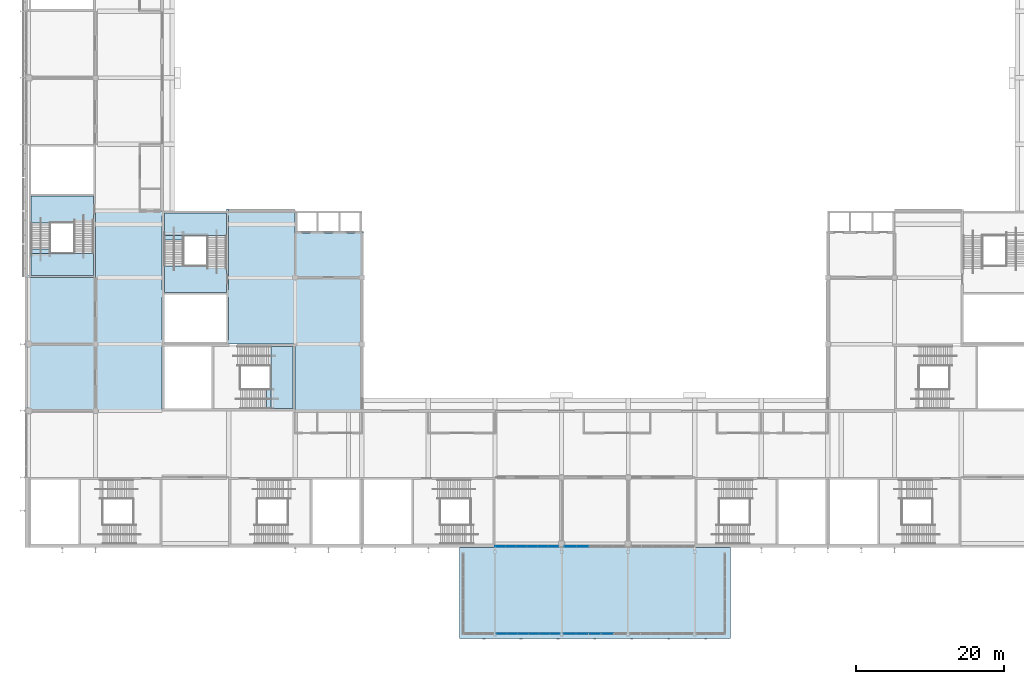
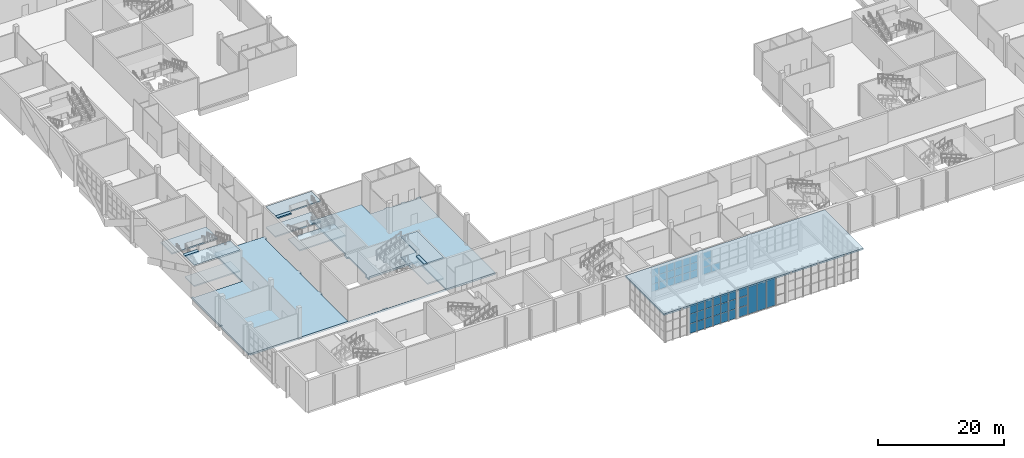
# One storey, part 29 of 89: 46 plates, 13 slabs, 8 elements without a shape of their own.
"""IFC4 building model written with IfcOpenShell, lengths in metres."""

from ifc_helpers import new_model, si_unit, direction, frame, origin, origin_2d, place, context, subcontext, project, spatial, polyline, rectangle, outline, extrude, material, layer, layer_set, type_object, element, aggregate, save


model = new_model("IFC4")

# Units and contexts
model_context = context("Model", 3, precision=1e-05, world=origin(), true_north=direction((0.0, 1.0)))
body_context = subcontext(model_context, "Body", "Model", "MODEL_VIEW")
ifc_project = project(units=[si_unit("LENGTHUNIT", "METRE"), si_unit("AREAUNIT", "SQUARE_METRE"), si_unit("VOLUMEUNIT", "CUBIC_METRE"), si_unit("PLANEANGLEUNIT", "RADIAN"), si_unit("MASSUNIT", "GRAM", prefix="KILO")], contexts=[model_context])

# Site, building, storey
site_placement = place(None, origin())
site = spatial("IfcSite", under=ifc_project, at=site_placement, CompositionType="ELEMENT")
building_placement = place(site_placement, origin())
building = spatial("IfcBuilding", under=site, at=building_placement, Name="Silverbay Arena", CompositionType="ELEMENT")
storey_placement = place(building_placement, frame((0.0, 0.0, 22.0)))
storey = spatial("IfcBuildingStorey", under=building, at=storey_placement, Name="L03", CompositionType="ELEMENT", Elevation=22.0)

# Curtain wall, plates
ifc_material_1 = material(Name="Aluminium framed curtain wall", Category="aluminium")
curtain_wall_type_1 = type_object("IfcCurtainWallType", Name="Curtain wall 8600 x 4400", PredefinedType="NOTDEFINED", material=ifc_material_1)
curtain_wall_1_placement = place(storey_placement, origin())
curtain_wall_1 = element("IfcCurtainWall", 1, at=curtain_wall_1_placement, inside=storey, type_object=curtain_wall_type_1, Name="South curtain wall L03 bay 8", PredefinedType="NOTDEFINED")
ifc_material_2 = material(Name="Laminated glass", Category="glass")
ifc_layer_1 = layer(ifc_material_2, 0.028076171875)
ifc_layer_set_1 = layer_set([ifc_layer_1], Name="Laminated glass")
plate_type = type_object("IfcPlateType", Name="Glass panel 28", PredefinedType="CURTAIN_PANEL", material=ifc_layer_set_1)
plate_1_placement = place(storey_placement, frame((117.731689453125, 17.669921875, 1.050048828125), z_axis=(0.0, 0.0, 1.0), x_axis=(1.0, 0.0, 0.0)))
plate_1 = element("IfcPlate", 2, at=plate_1_placement, type_object=plate_type, Name="CW12 panel 1.1", PredefinedType="CURTAIN_PANEL", context=body_context, shape_type="SweptSolid", body=[
    extrude(rectangle(XDim=1.34326171875, YDim=0.028076171875, at=origin_2d()), origin(), (0.0, 0.0, 1.0), 1.3916015625),
])
plate_2_placement = place(storey_placement, frame((117.731689453125, 17.669921875, 2.49169921875), z_axis=(0.0, 0.0, 1.0), x_axis=(1.0, 0.0, 0.0)))
plate_2 = element("IfcPlate", 3, at=plate_2_placement, type_object=plate_type, Name="CW12 panel 1.2", PredefinedType="CURTAIN_PANEL", context=body_context, shape_type="SweptSolid", body=[
    extrude(rectangle(XDim=1.34326171875, YDim=0.028076171875, at=origin_2d()), origin(), (0.0, 0.0, 1.0), 1.416748046875),
])
plate_3_placement = place(storey_placement, frame((117.731689453125, 17.669921875, 3.958251953125), z_axis=(0.0, 0.0, 1.0), x_axis=(1.0, 0.0, 0.0)))
plate_3 = element("IfcPlate", 4, at=plate_3_placement, type_object=plate_type, Name="CW12 panel 1.3", PredefinedType="CURTAIN_PANEL", context=body_context, shape_type="SweptSolid", body=[
    extrude(rectangle(XDim=1.34326171875, YDim=0.028076171875, at=origin_2d()), origin(), (0.0, 0.0, 1.0), 1.3916015625),
])
plate_4_placement = place(storey_placement, frame((119.14990234375, 17.669921875, 1.050048828125), z_axis=(0.0, 0.0, 1.0), x_axis=(1.0, 0.0, 0.0)))
plate_4 = element("IfcPlate", 5, at=plate_4_placement, type_object=plate_type, Name="CW12 panel 2.1", PredefinedType="CURTAIN_PANEL", context=body_context, shape_type="SweptSolid", body=[
    extrude(rectangle(XDim=1.373291015625, YDim=0.028076171875, at=origin_2d()), origin(), (0.0, 0.0, 1.0), 1.3916015625),
])
plate_5_placement = place(storey_placement, frame((119.14990234375, 17.669921875, 2.49169921875), z_axis=(0.0, 0.0, 1.0), x_axis=(1.0, 0.0, 0.0)))
plate_5 = element("IfcPlate", 6, at=plate_5_placement, type_object=plate_type, Name="CW12 panel 2.2", PredefinedType="CURTAIN_PANEL", context=body_context, shape_type="SweptSolid", body=[
    extrude(rectangle(XDim=1.373291015625, YDim=0.028076171875, at=origin_2d()), origin(), (0.0, 0.0, 1.0), 1.416748046875),
])
plate_6_placement = place(storey_placement, frame((119.14990234375, 17.669921875, 3.958251953125), z_axis=(0.0, 0.0, 1.0), x_axis=(1.0, 0.0, 0.0)))
plate_6 = element("IfcPlate", 7, at=plate_6_placement, type_object=plate_type, Name="CW12 panel 2.3", PredefinedType="CURTAIN_PANEL", context=body_context, shape_type="SweptSolid", body=[
    extrude(rectangle(XDim=1.373291015625, YDim=0.028076171875, at=origin_2d()), origin(), (0.0, 0.0, 1.0), 1.3916015625),
])
plate_7_placement = place(storey_placement, frame((120.583251953125, 17.669921875, 1.050048828125), z_axis=(0.0, 0.0, 1.0), x_axis=(1.0, 0.0, 0.0)))
plate_7 = element("IfcPlate", 8, at=plate_7_placement, type_object=plate_type, Name="CW12 panel 3.1", PredefinedType="CURTAIN_PANEL", context=body_context, shape_type="SweptSolid", body=[
    extrude(rectangle(XDim=1.373291015625, YDim=0.028076171875, at=origin_2d()), origin(), (0.0, 0.0, 1.0), 1.3916015625),
])
plate_8_placement = place(storey_placement, frame((120.583251953125, 17.669921875, 2.49169921875), z_axis=(0.0, 0.0, 1.0), x_axis=(1.0, 0.0, 0.0)))
plate_8 = element("IfcPlate", 9, at=plate_8_placement, type_object=plate_type, Name="CW12 panel 3.2", PredefinedType="CURTAIN_PANEL", context=body_context, shape_type="SweptSolid", body=[
    extrude(rectangle(XDim=1.373291015625, YDim=0.028076171875, at=origin_2d()), origin(), (0.0, 0.0, 1.0), 1.416748046875),
])
plate_9_placement = place(storey_placement, frame((120.583251953125, 17.669921875, 3.958251953125), z_axis=(0.0, 0.0, 1.0), x_axis=(1.0, 0.0, 0.0)))
plate_9 = element("IfcPlate", 10, at=plate_9_placement, type_object=plate_type, Name="CW12 panel 3.3", PredefinedType="CURTAIN_PANEL", context=body_context, shape_type="SweptSolid", body=[
    extrude(rectangle(XDim=1.373291015625, YDim=0.028076171875, at=origin_2d()), origin(), (0.0, 0.0, 1.0), 1.3916015625),
])
plate_10_placement = place(storey_placement, frame((122.0166015625, 17.669921875, 1.050048828125), z_axis=(0.0, 0.0, 1.0), x_axis=(1.0, 0.0, 0.0)))
plate_10 = element("IfcPlate", 11, at=plate_10_placement, type_object=plate_type, Name="CW12 panel 4.1", PredefinedType="CURTAIN_PANEL", context=body_context, shape_type="SweptSolid", body=[
    extrude(rectangle(XDim=1.373291015625, YDim=0.028076171875, at=origin_2d()), origin(), (0.0, 0.0, 1.0), 1.3916015625),
])
plate_11_placement = place(storey_placement, frame((122.0166015625, 17.669921875, 2.49169921875), z_axis=(0.0, 0.0, 1.0), x_axis=(1.0, 0.0, 0.0)))
plate_11 = element("IfcPlate", 12, at=plate_11_placement, type_object=plate_type, Name="CW12 panel 4.2", PredefinedType="CURTAIN_PANEL", context=body_context, shape_type="SweptSolid", body=[
    extrude(rectangle(XDim=1.373291015625, YDim=0.028076171875, at=origin_2d()), origin(), (0.0, 0.0, 1.0), 1.416748046875),
])
plate_12_placement = place(storey_placement, frame((122.0166015625, 17.669921875, 3.958251953125), z_axis=(0.0, 0.0, 1.0), x_axis=(1.0, 0.0, 0.0)))
plate_12 = element("IfcPlate", 13, at=plate_12_placement, type_object=plate_type, Name="CW12 panel 4.3", PredefinedType="CURTAIN_PANEL", context=body_context, shape_type="SweptSolid", body=[
    extrude(rectangle(XDim=1.373291015625, YDim=0.028076171875, at=origin_2d()), origin(), (0.0, 0.0, 1.0), 1.3916015625),
])
plate_13_placement = place(storey_placement, frame((123.449951171875, 17.669921875, 1.050048828125), z_axis=(0.0, 0.0, 1.0), x_axis=(1.0, 0.0, 0.0)))
plate_13 = element("IfcPlate", 14, at=plate_13_placement, type_object=plate_type, Name="CW12 panel 5.1", PredefinedType="CURTAIN_PANEL", context=body_context, shape_type="SweptSolid", body=[
    extrude(rectangle(XDim=1.373291015625, YDim=0.028076171875, at=origin_2d()), origin(), (0.0, 0.0, 1.0), 1.3916015625),
])
plate_14_placement = place(storey_placement, frame((123.449951171875, 17.669921875, 2.49169921875), z_axis=(0.0, 0.0, 1.0), x_axis=(1.0, 0.0, 0.0)))
plate_14 = element("IfcPlate", 15, at=plate_14_placement, type_object=plate_type, Name="CW12 panel 5.2", PredefinedType="CURTAIN_PANEL", context=body_context, shape_type="SweptSolid", body=[
    extrude(rectangle(XDim=1.373291015625, YDim=0.028076171875, at=origin_2d()), origin(), (0.0, 0.0, 1.0), 1.416748046875),
])
plate_15_placement = place(storey_placement, frame((123.449951171875, 17.669921875, 3.958251953125), z_axis=(0.0, 0.0, 1.0), x_axis=(1.0, 0.0, 0.0)))
plate_15 = element("IfcPlate", 16, at=plate_15_placement, type_object=plate_type, Name="CW12 panel 5.3", PredefinedType="CURTAIN_PANEL", context=body_context, shape_type="SweptSolid", body=[
    extrude(rectangle(XDim=1.373291015625, YDim=0.028076171875, at=origin_2d()), origin(), (0.0, 0.0, 1.0), 1.3916015625),
])
plate_16_placement = place(storey_placement, frame((124.868408203125, 17.669921875, 1.050048828125), z_axis=(0.0, 0.0, 1.0), x_axis=(1.0, 0.0, 0.0)))
plate_16 = element("IfcPlate", 17, at=plate_16_placement, type_object=plate_type, Name="CW12 panel 6.1", PredefinedType="CURTAIN_PANEL", context=body_context, shape_type="SweptSolid", body=[
    extrude(rectangle(XDim=1.34326171875, YDim=0.028076171875, at=origin_2d()), origin(), (0.0, 0.0, 1.0), 1.3916015625),
])
plate_17_placement = place(storey_placement, frame((124.868408203125, 17.669921875, 2.49169921875), z_axis=(0.0, 0.0, 1.0), x_axis=(1.0, 0.0, 0.0)))
plate_17 = element("IfcPlate", 18, at=plate_17_placement, type_object=plate_type, Name="CW12 panel 6.2", PredefinedType="CURTAIN_PANEL", context=body_context, shape_type="SweptSolid", body=[
    extrude(rectangle(XDim=1.34326171875, YDim=0.028076171875, at=origin_2d()), origin(), (0.0, 0.0, 1.0), 1.416748046875),
])
plate_18_placement = place(storey_placement, frame((124.868408203125, 17.669921875, 3.958251953125), z_axis=(0.0, 0.0, 1.0), x_axis=(1.0, 0.0, 0.0)))
plate_18 = element("IfcPlate", 19, at=plate_18_placement, type_object=plate_type, Name="CW12 panel 6.3", PredefinedType="CURTAIN_PANEL", context=body_context, shape_type="SweptSolid", body=[
    extrude(rectangle(XDim=1.34326171875, YDim=0.028076171875, at=origin_2d()), origin(), (0.0, 0.0, 1.0), 1.3916015625),
])
aggregate(curtain_wall_1, [plate_1, plate_2, plate_3, plate_4, plate_5, plate_6, plate_7, plate_8, plate_9, plate_10, plate_11, plate_12, plate_13, plate_14, plate_15, plate_16, plate_17, plate_18])

ifc_material_3 = material(Name="Aluminium framed curtain wall", Category="aluminium")
curtain_wall_type_2 = type_object("IfcCurtainWallType", Name="Curtain wall 8200 x 4400", PredefinedType="NOTDEFINED", material=ifc_material_3)
curtain_wall_2_placement = place(storey_placement, origin())
curtain_wall_2 = element("IfcCurtainWall", 20, at=curtain_wall_2_placement, inside=storey, type_object=curtain_wall_type_2, Name="South curtain wall L03 bay 9", PredefinedType="NOTDEFINED")
plate_19_placement = place(storey_placement, frame((127.235107421875, 17.669921875, 1.050048828125), z_axis=(0.0, 0.0, 1.0), x_axis=(1.0, 0.0, 0.0)))
plate_19 = element("IfcPlate", 21, at=plate_19_placement, type_object=plate_type, Name="CW13 panel 1.1", PredefinedType="CURTAIN_PANEL", context=body_context, shape_type="SweptSolid", body=[
    extrude(rectangle(XDim=1.550048828125, YDim=0.028076171875, at=origin_2d()), origin(), (0.0, 0.0, 1.0), 1.3916015625),
])
plate_20_placement = place(storey_placement, frame((127.235107421875, 17.669921875, 2.49169921875), z_axis=(0.0, 0.0, 1.0), x_axis=(1.0, 0.0, 0.0)))
plate_20 = element("IfcPlate", 22, at=plate_20_placement, type_object=plate_type, Name="CW13 panel 1.2", PredefinedType="CURTAIN_PANEL", context=body_context, shape_type="SweptSolid", body=[
    extrude(rectangle(XDim=1.550048828125, YDim=0.028076171875, at=origin_2d()), origin(), (0.0, 0.0, 1.0), 1.416748046875),
])
plate_21_placement = place(storey_placement, frame((127.235107421875, 17.669921875, 3.958251953125), z_axis=(0.0, 0.0, 1.0), x_axis=(1.0, 0.0, 0.0)))
plate_21 = element("IfcPlate", 23, at=plate_21_placement, type_object=plate_type, Name="CW13 panel 1.3", PredefinedType="CURTAIN_PANEL", context=body_context, shape_type="SweptSolid", body=[
    extrude(rectangle(XDim=1.550048828125, YDim=0.028076171875, at=origin_2d()), origin(), (0.0, 0.0, 1.0), 1.3916015625),
])
plate_22_placement = place(storey_placement, frame((128.860107421875, 17.669921875, 1.050048828125), z_axis=(0.0, 0.0, 1.0), x_axis=(1.0, 0.0, 0.0)))
plate_22 = element("IfcPlate", 24, at=plate_22_placement, type_object=plate_type, Name="CW13 panel 2.1", PredefinedType="CURTAIN_PANEL", context=body_context, shape_type="SweptSolid", body=[
    extrude(rectangle(XDim=1.580078125, YDim=0.028076171875, at=origin_2d()), origin(), (0.0, 0.0, 1.0), 1.3916015625),
])
aggregate(curtain_wall_2, [plate_19, plate_20, plate_21, plate_22])

ifc_material_4 = material(Name="Aluminium framed curtain wall", Category="aluminium")
curtain_wall_type_3 = type_object("IfcCurtainWallType", Name="Curtain wall 8600 x 5700", PredefinedType="NOTDEFINED", material=ifc_material_4)
curtain_wall_3_placement = place(storey_placement, origin())
curtain_wall_3 = element("IfcCurtainWall", 25, at=curtain_wall_3_placement, inside=storey, type_object=curtain_wall_type_3, Name="South entrance hall S1 glazing F0", PredefinedType="NOTDEFINED")
plate_23_placement = place(storey_placement, frame((117.931640625, 5.860107421875, 0.0498046875), z_axis=(0.0, 0.0, 1.0), x_axis=(1.0, 0.0, 0.0)))
plate_23 = element("IfcPlate", 26, at=plate_23_placement, type_object=plate_type, Name="CW27 panel 1.1", PredefinedType="CURTAIN_PANEL", context=body_context, shape_type="SweptSolid", body=[
    extrude(rectangle(XDim=1.34326171875, YDim=0.028076171875, at=origin_2d()), origin(), (0.0, 0.0, 1.0), 1.824951171875),
])
plate_24_placement = place(storey_placement, frame((117.931640625, 5.860107421875, 1.925048828125), z_axis=(0.0, 0.0, 1.0), x_axis=(1.0, 0.0, 0.0)))
plate_24 = element("IfcPlate", 27, at=plate_24_placement, type_object=plate_type, Name="CW27 panel 1.2", PredefinedType="CURTAIN_PANEL", context=body_context, shape_type="SweptSolid", body=[
    extrude(rectangle(XDim=1.34326171875, YDim=0.028076171875, at=origin_2d()), origin(), (0.0, 0.0, 1.0), 1.85009765625),
])
plate_25_placement = place(storey_placement, frame((117.931640625, 5.860107421875, 3.8251953125), z_axis=(0.0, 0.0, 1.0), x_axis=(1.0, 0.0, 0.0)))
plate_25 = element("IfcPlate", 28, at=plate_25_placement, type_object=plate_type, Name="CW27 panel 1.3", PredefinedType="CURTAIN_PANEL", context=body_context, shape_type="SweptSolid", body=[
    extrude(rectangle(XDim=1.34326171875, YDim=0.028076171875, at=origin_2d()), origin(), (0.0, 0.0, 1.0), 1.824951171875),
])
plate_26_placement = place(storey_placement, frame((119.35009765625, 5.860107421875, 0.0498046875), z_axis=(0.0, 0.0, 1.0), x_axis=(1.0, 0.0, 0.0)))
plate_26 = element("IfcPlate", 29, at=plate_26_placement, type_object=plate_type, Name="CW27 panel 2.1", PredefinedType="CURTAIN_PANEL", context=body_context, shape_type="SweptSolid", body=[
    extrude(rectangle(XDim=1.373291015625, YDim=0.028076171875, at=origin_2d()), origin(), (0.0, 0.0, 1.0), 1.824951171875),
])
plate_27_placement = place(storey_placement, frame((119.35009765625, 5.860107421875, 1.925048828125), z_axis=(0.0, 0.0, 1.0), x_axis=(1.0, 0.0, 0.0)))
plate_27 = element("IfcPlate", 30, at=plate_27_placement, type_object=plate_type, Name="CW27 panel 2.2", PredefinedType="CURTAIN_PANEL", context=body_context, shape_type="SweptSolid", body=[
    extrude(rectangle(XDim=1.373291015625, YDim=0.028076171875, at=origin_2d()), origin(), (0.0, 0.0, 1.0), 1.85009765625),
])
plate_28_placement = place(storey_placement, frame((119.35009765625, 5.860107421875, 3.8251953125), z_axis=(0.0, 0.0, 1.0), x_axis=(1.0, 0.0, 0.0)))
plate_28 = element("IfcPlate", 31, at=plate_28_placement, type_object=plate_type, Name="CW27 panel 2.3", PredefinedType="CURTAIN_PANEL", context=body_context, shape_type="SweptSolid", body=[
    extrude(rectangle(XDim=1.373291015625, YDim=0.028076171875, at=origin_2d()), origin(), (0.0, 0.0, 1.0), 1.824951171875),
])
plate_29_placement = place(storey_placement, frame((120.783447265625, 5.860107421875, 0.0498046875), z_axis=(0.0, 0.0, 1.0), x_axis=(1.0, 0.0, 0.0)))
plate_29 = element("IfcPlate", 32, at=plate_29_placement, type_object=plate_type, Name="CW27 panel 3.1", PredefinedType="CURTAIN_PANEL", context=body_context, shape_type="SweptSolid", body=[
    extrude(rectangle(XDim=1.373291015625, YDim=0.028076171875, at=origin_2d()), origin(), (0.0, 0.0, 1.0), 1.824951171875),
])
plate_30_placement = place(storey_placement, frame((120.783447265625, 5.860107421875, 1.925048828125), z_axis=(0.0, 0.0, 1.0), x_axis=(1.0, 0.0, 0.0)))
plate_30 = element("IfcPlate", 33, at=plate_30_placement, type_object=plate_type, Name="CW27 panel 3.2", PredefinedType="CURTAIN_PANEL", context=body_context, shape_type="SweptSolid", body=[
    extrude(rectangle(XDim=1.373291015625, YDim=0.028076171875, at=origin_2d()), origin(), (0.0, 0.0, 1.0), 1.85009765625),
])
plate_31_placement = place(storey_placement, frame((120.783447265625, 5.860107421875, 3.8251953125), z_axis=(0.0, 0.0, 1.0), x_axis=(1.0, 0.0, 0.0)))
plate_31 = element("IfcPlate", 34, at=plate_31_placement, type_object=plate_type, Name="CW27 panel 3.3", PredefinedType="CURTAIN_PANEL", context=body_context, shape_type="SweptSolid", body=[
    extrude(rectangle(XDim=1.373291015625, YDim=0.028076171875, at=origin_2d()), origin(), (0.0, 0.0, 1.0), 1.824951171875),
])
plate_32_placement = place(storey_placement, frame((122.216552734375, 5.860107421875, 0.0498046875), z_axis=(0.0, 0.0, 1.0), x_axis=(1.0, 0.0, 0.0)))
plate_32 = element("IfcPlate", 35, at=plate_32_placement, type_object=plate_type, Name="CW27 panel 4.1", PredefinedType="CURTAIN_PANEL", context=body_context, shape_type="SweptSolid", body=[
    extrude(rectangle(XDim=1.373291015625, YDim=0.028076171875, at=origin_2d()), origin(), (0.0, 0.0, 1.0), 1.824951171875),
])
plate_33_placement = place(storey_placement, frame((122.216552734375, 5.860107421875, 1.925048828125), z_axis=(0.0, 0.0, 1.0), x_axis=(1.0, 0.0, 0.0)))
plate_33 = element("IfcPlate", 36, at=plate_33_placement, type_object=plate_type, Name="CW27 panel 4.2", PredefinedType="CURTAIN_PANEL", context=body_context, shape_type="SweptSolid", body=[
    extrude(rectangle(XDim=1.373291015625, YDim=0.028076171875, at=origin_2d()), origin(), (0.0, 0.0, 1.0), 1.85009765625),
])
plate_34_placement = place(storey_placement, frame((122.216552734375, 5.860107421875, 3.8251953125), z_axis=(0.0, 0.0, 1.0), x_axis=(1.0, 0.0, 0.0)))
plate_34 = element("IfcPlate", 37, at=plate_34_placement, type_object=plate_type, Name="CW27 panel 4.3", PredefinedType="CURTAIN_PANEL", context=body_context, shape_type="SweptSolid", body=[
    extrude(rectangle(XDim=1.373291015625, YDim=0.028076171875, at=origin_2d()), origin(), (0.0, 0.0, 1.0), 1.824951171875),
])
plate_35_placement = place(storey_placement, frame((123.64990234375, 5.860107421875, 0.0498046875), z_axis=(0.0, 0.0, 1.0), x_axis=(1.0, 0.0, 0.0)))
plate_35 = element("IfcPlate", 38, at=plate_35_placement, type_object=plate_type, Name="CW27 panel 5.1", PredefinedType="CURTAIN_PANEL", context=body_context, shape_type="SweptSolid", body=[
    extrude(rectangle(XDim=1.373291015625, YDim=0.028076171875, at=origin_2d()), origin(), (0.0, 0.0, 1.0), 1.824951171875),
])
plate_36_placement = place(storey_placement, frame((123.64990234375, 5.860107421875, 1.925048828125), z_axis=(0.0, 0.0, 1.0), x_axis=(1.0, 0.0, 0.0)))
plate_36 = element("IfcPlate", 39, at=plate_36_placement, type_object=plate_type, Name="CW27 panel 5.2", PredefinedType="CURTAIN_PANEL", context=body_context, shape_type="SweptSolid", body=[
    extrude(rectangle(XDim=1.373291015625, YDim=0.028076171875, at=origin_2d()), origin(), (0.0, 0.0, 1.0), 1.85009765625),
])
plate_37_placement = place(storey_placement, frame((123.64990234375, 5.860107421875, 3.8251953125), z_axis=(0.0, 0.0, 1.0), x_axis=(1.0, 0.0, 0.0)))
plate_37 = element("IfcPlate", 40, at=plate_37_placement, type_object=plate_type, Name="CW27 panel 5.3", PredefinedType="CURTAIN_PANEL", context=body_context, shape_type="SweptSolid", body=[
    extrude(rectangle(XDim=1.373291015625, YDim=0.028076171875, at=origin_2d()), origin(), (0.0, 0.0, 1.0), 1.824951171875),
])
plate_38_placement = place(storey_placement, frame((125.068359375, 5.860107421875, 0.0498046875), z_axis=(0.0, 0.0, 1.0), x_axis=(1.0, 0.0, 0.0)))
plate_38 = element("IfcPlate", 41, at=plate_38_placement, type_object=plate_type, Name="CW27 panel 6.1", PredefinedType="CURTAIN_PANEL", context=body_context, shape_type="SweptSolid", body=[
    extrude(rectangle(XDim=1.34326171875, YDim=0.028076171875, at=origin_2d()), origin(), (0.0, 0.0, 1.0), 1.824951171875),
])
plate_39_placement = place(storey_placement, frame((125.068359375, 5.860107421875, 1.925048828125), z_axis=(0.0, 0.0, 1.0), x_axis=(1.0, 0.0, 0.0)))
plate_39 = element("IfcPlate", 42, at=plate_39_placement, type_object=plate_type, Name="CW27 panel 6.2", PredefinedType="CURTAIN_PANEL", context=body_context, shape_type="SweptSolid", body=[
    extrude(rectangle(XDim=1.34326171875, YDim=0.028076171875, at=origin_2d()), origin(), (0.0, 0.0, 1.0), 1.85009765625),
])
plate_40_placement = place(storey_placement, frame((125.068359375, 5.860107421875, 3.8251953125), z_axis=(0.0, 0.0, 1.0), x_axis=(1.0, 0.0, 0.0)))
plate_40 = element("IfcPlate", 43, at=plate_40_placement, type_object=plate_type, Name="CW27 panel 6.3", PredefinedType="CURTAIN_PANEL", context=body_context, shape_type="SweptSolid", body=[
    extrude(rectangle(XDim=1.34326171875, YDim=0.028076171875, at=origin_2d()), origin(), (0.0, 0.0, 1.0), 1.824951171875),
])
aggregate(curtain_wall_3, [plate_23, plate_24, plate_25, plate_26, plate_27, plate_28, plate_29, plate_30, plate_31, plate_32, plate_33, plate_34, plate_35, plate_36, plate_37, plate_38, plate_39, plate_40])

ifc_material_5 = material(Name="Aluminium framed curtain wall", Category="aluminium")
curtain_wall_type_4 = type_object("IfcCurtainWallType", Name="Curtain wall 1750 x 5700", PredefinedType="NOTDEFINED", material=ifc_material_5)
curtain_wall_4_placement = place(storey_placement, origin())
curtain_wall_4 = element("IfcCurtainWall", 44, at=curtain_wall_4_placement, inside=storey, type_object=curtain_wall_type_4, Name="South entrance hall S1 glazing F1a", PredefinedType="NOTDEFINED")
plate_41_placement = place(storey_placement, frame((127.074951171875, 5.860107421875, 0.0498046875), z_axis=(0.0, 0.0, 1.0), x_axis=(1.0, 0.0, 0.0)))
plate_41 = element("IfcPlate", 45, at=plate_41_placement, type_object=plate_type, Name="CW31 panel 1.1", PredefinedType="CURTAIN_PANEL", context=body_context, shape_type="SweptSolid", body=[
    extrude(rectangle(XDim=1.6298828125, YDim=0.028076171875, at=origin_2d()), origin(), (0.0, 0.0, 1.0), 1.824951171875),
])
plate_42_placement = place(storey_placement, frame((127.074951171875, 5.860107421875, 1.925048828125), z_axis=(0.0, 0.0, 1.0), x_axis=(1.0, 0.0, 0.0)))
plate_42 = element("IfcPlate", 46, at=plate_42_placement, type_object=plate_type, Name="CW31 panel 1.2", PredefinedType="CURTAIN_PANEL", context=body_context, shape_type="SweptSolid", body=[
    extrude(rectangle(XDim=1.6298828125, YDim=0.028076171875, at=origin_2d()), origin(), (0.0, 0.0, 1.0), 1.85009765625),
])
plate_43_placement = place(storey_placement, frame((127.074951171875, 5.860107421875, 3.8251953125), z_axis=(0.0, 0.0, 1.0), x_axis=(1.0, 0.0, 0.0)))
plate_43 = element("IfcPlate", 47, at=plate_43_placement, type_object=plate_type, Name="CW31 panel 1.3", PredefinedType="CURTAIN_PANEL", context=body_context, shape_type="SweptSolid", body=[
    extrude(rectangle(XDim=1.6298828125, YDim=0.028076171875, at=origin_2d()), origin(), (0.0, 0.0, 1.0), 1.824951171875),
])
aggregate(curtain_wall_4, [plate_41, plate_42, plate_43])

ifc_material_6 = material(Name="Aluminium framed curtain wall", Category="aluminium")
curtain_wall_type_5 = type_object("IfcCurtainWallType", Name="Curtain wall 5100 x 5700", PredefinedType="NOTDEFINED", material=ifc_material_6)
curtain_wall_5_placement = place(storey_placement, origin())
curtain_wall_5 = element("IfcCurtainWall", 48, at=curtain_wall_5_placement, inside=storey, type_object=curtain_wall_type_5, Name="South entrance hall S1 glazing over the door", PredefinedType="NOTDEFINED")
plate_44_placement = place(storey_placement, frame((128.81494140625, 5.860107421875, 0.050048828125), z_axis=(0.0, 0.0, 1.0), x_axis=(1.0, 0.0, 0.0)))
plate_44 = element("IfcPlate", 49, at=plate_44_placement, type_object=plate_type, Name="CW41 panel 1.1", PredefinedType="CURTAIN_PANEL", context=body_context, shape_type="SweptSolid", body=[
    extrude(rectangle(XDim=1.610107421875, YDim=0.028076171875, at=origin_2d()), origin(), (0.0, 0.0, 1.0), 5.60009765625),
])
plate_45_placement = place(storey_placement, frame((130.5, 5.860107421875, 0.050048828125), z_axis=(0.0, 0.0, 1.0), x_axis=(1.0, 0.0, 0.0)))
plate_45 = element("IfcPlate", 50, at=plate_45_placement, type_object=plate_type, Name="CW41 panel 2.1", PredefinedType="CURTAIN_PANEL", context=body_context, shape_type="SweptSolid", body=[
    extrude(rectangle(XDim=1.639892578125, YDim=0.028076171875, at=origin_2d()), origin(), (0.0, 0.0, 1.0), 5.60009765625),
])
plate_46_placement = place(storey_placement, frame((132.18505859375, 5.860107421875, 0.050048828125), z_axis=(0.0, 0.0, 1.0), x_axis=(1.0, 0.0, 0.0)))
plate_46 = element("IfcPlate", 51, at=plate_46_placement, type_object=plate_type, Name="CW41 panel 3.1", PredefinedType="CURTAIN_PANEL", context=body_context, shape_type="SweptSolid", body=[
    extrude(rectangle(XDim=1.610107421875, YDim=0.028076171875, at=origin_2d()), origin(), (0.0, 0.0, 1.0), 5.60009765625),
])
aggregate(curtain_wall_5, [plate_44, plate_45, plate_46])

# Slabs
ifc_material_7 = material(Name="Concrete Grade C45", Category="concrete")
ifc_layer_2 = layer(ifc_material_7, 0.300048828125)
ifc_layer_set_2 = layer_set([ifc_layer_2], Name="Concrete Grade C45")
slab_type_1 = type_object("IfcSlabType", Name="Hall roof slab 300", PredefinedType="ROOF", material=ifc_layer_set_2)
slab_1_placement = place(storey_placement, frame((0.0, 0.0, 5.699951171875)))
element("IfcSlab", 52, at=slab_1_placement, inside=storey, type_object=slab_type_1, Name="South entrance hall S1 roof", PredefinedType="ROOF", context=body_context, shape_type="SweptSolid", body=[
    extrude(outline(polyline([(148.800048828125, 17.5), (148.800048828125, 5.199951171875), (112.199951171875, 5.199951171875), (112.199951171875, 17.5), (125.64990234375, 17.5), (125.64990234375, 17.60009765625), (126.35009765625, 17.60009765625), (126.35009765625, 17.5), (134.64990234375, 17.5), (134.64990234375, 17.60009765625), (135.35009765625, 17.60009765625), (135.35009765625, 17.5), (148.800048828125, 17.5)])), origin(), (0.0, 0.0, 1.0), 0.300048828125),
])
ifc_material_8 = material(Name="Concrete Grade C45", Category="concrete")
ifc_layer_3 = layer(ifc_material_8, 0.35009765625)
ifc_layer_set_3 = layer_set([ifc_layer_3], Name="Concrete Grade C45")
slab_type_2 = type_object("IfcSlabType", Name="RC floor slab 350", PredefinedType="FLOOR", material=ifc_layer_set_3)
slab_2_placement = place(storey_placement, frame((0.0, 0.0, -0.35009765625)))
element("IfcSlab", 53, at=slab_2_placement, inside=storey, type_object=slab_type_2, Name="Floor slab L03 unit 4", PredefinedType="FLOOR", context=body_context, shape_type="SweptSolid", body=[
    extrude(outline(polyline([(53.800048828125, 36.175048828125), (53.800048828125, 44.824951171875), (54.074951171875, 44.824951171875), (54.074951171875, 45.175048828125), (53.800048828125, 45.175048828125), (53.800048828125, 54.27490234375), (54.074951171875, 54.27490234375), (54.074951171875, 54.0), (63.0, 54.0), (63.0, 63.0), (72.300048828125, 63.0), (72.300048828125, 62.39990234375), (72.0, 62.39990234375), (72.0, 52.300048828125), (72.300048828125, 52.300048828125), (72.300048828125, 51.39990234375), (72.0, 51.39990234375), (72.0, 45.60009765625), (72.300048828125, 45.60009765625), (72.300048828125, 44.699951171875), (72.0, 44.699951171875), (72.0, 36.0), (78.39990234375, 36.0), (78.39990234375, 36.300048828125), (79.300048828125, 36.300048828125), (79.300048828125, 36.0), (90.0, 36.0), (90.0, 45.0), (81.0, 45.0), (81.0, 44.699951171875), (80.699951171875, 44.699951171875), (80.699951171875, 45.60009765625), (81.0, 45.60009765625), (81.0, 51.39990234375), (80.699951171875, 51.39990234375), (80.699951171875, 52.300048828125), (81.0, 52.300048828125), (81.0, 62.39990234375), (80.699951171875, 62.39990234375), (80.699951171875, 63.300048828125), (81.0, 63.300048828125), (81.0, 63.0), (90.0, 63.0), (90.0, 60.0), (92.64990234375, 60.0), (92.64990234375, 60.25), (93.35009765625, 60.25), (93.35009765625, 60.0), (95.64990234375, 60.0), (95.64990234375, 60.25), (96.35009765625, 60.25), (96.35009765625, 60.0), (98.5, 60.0), (98.5, 60.25), (99.25, 60.25), (99.25, 60.0), (99.0, 60.0), (99.0, 35.97509765625), (54.074951171875, 35.97509765625), (54.074951171875, 36.175048828125), (53.800048828125, 36.175048828125)])), origin(), (0.0, 0.0, 1.0), 0.35009765625),
])

# Stair, slab
ifc_material_9 = material(Name="Concrete Grade C45", Category="concrete")
stair_type = type_object("IfcStairType", Name="Stair 2600 wide 48 risers 125.0 x 300", PredefinedType="HALF_TURN_STAIR", material=ifc_material_9)
stair_1_placement = place(storey_placement, origin())
stair_1 = element("IfcStair", 54, at=stair_1_placement, inside=storey, type_object=stair_type, Name="Stair ST-W1 L03 to L04", PredefinedType="HALF_TURN_STAIR")
ifc_material_10 = material(Name="Concrete Grade C45", Category="concrete")
ifc_layer_4 = layer(ifc_material_10, 0.25)
ifc_layer_set_4 = layer_set([ifc_layer_4], Name="Concrete Grade C45")
slab_type_3 = type_object("IfcSlabType", Name="Stair arrival platform RC 250", PredefinedType="FLOOR", material=ifc_layer_set_4)
slab_3_placement = place(storey_placement, frame((0.0, 0.0, 5.75)))
slab_3 = element("IfcSlab", 55, at=slab_3_placement, type_object=slab_type_3, Name="Stair ST-W1 L03 to L04 arrival platform 4", PredefinedType="FLOOR", context=body_context, shape_type="SweptSolid", body=[
    extrude(outline(polyline([(56.89990234375, 57.89990234375), (56.89990234375, 57.2900390625), (54.300048828125, 57.2900390625), (54.300048828125, 57.89990234375), (56.89990234375, 57.89990234375)])), origin(), (0.0, 0.0, 1.0), 0.25),
])

stair_2_placement = place(storey_placement, origin())
stair_2 = element("IfcStair", 56, at=stair_2_placement, inside=storey, type_object=stair_type, Name="Stair ST-SW1 L03 to L04", PredefinedType="HALF_TURN_STAIR")
slab_4_placement = place(storey_placement, frame((0.0, 0.0, 5.75)))
slab_4 = element("IfcSlab", 57, at=slab_4_placement, type_object=slab_type_3, Name="Stair ST-SW1 L03 to L04 arrival platform 4", PredefinedType="FLOOR", context=body_context, shape_type="SweptSolid", body=[
    extrude(outline(polyline([(86.10009765625, 38.89990234375), (86.7099609375, 38.89990234375), (86.7099609375, 36.300048828125), (86.10009765625, 36.300048828125), (86.10009765625, 38.89990234375)])), origin(), (0.0, 0.0, 1.0), 0.25),
])

stair_3_placement = place(storey_placement, origin())
stair_3 = element("IfcStair", 58, at=stair_3_placement, inside=storey, type_object=stair_type, Name="Stair ST-SW2 L03 to L04", PredefinedType="HALF_TURN_STAIR")
slab_5_placement = place(storey_placement, frame((0.0, 0.0, 5.75)))
slab_5 = element("IfcSlab", 59, at=slab_5_placement, type_object=slab_type_3, Name="Stair ST-SW2 L03 to L04 arrival platform 4", PredefinedType="FLOOR", context=body_context, shape_type="SweptSolid", body=[
    extrude(outline(polyline([(74.89990234375, 59.10009765625), (74.89990234375, 59.7099609375), (72.300048828125, 59.7099609375), (72.300048828125, 59.10009765625), (74.89990234375, 59.10009765625)])), origin(), (0.0, 0.0, 1.0), 0.25),
])

# Slab
ifc_material_11 = material(Name="Concrete Grade C45", Category="concrete")
ifc_layer_5 = layer(ifc_material_11, 0.25)
ifc_layer_set_5 = layer_set([ifc_layer_5], Name="Concrete Grade C45")
slab_type_4 = type_object("IfcSlabType", Name="Stair landing RC 250", PredefinedType="LANDING", material=ifc_layer_set_5)
slab_6_placement = place(storey_placement, frame((0.0, 0.0, 1.75)))
slab_6 = element("IfcSlab", 60, at=slab_6_placement, type_object=slab_type_4, Name="Stair ST-W1 L03 to L04 landing 1", PredefinedType="LANDING", context=body_context, shape_type="SweptSolid", body=[
    extrude(outline(polyline([(62.699951171875, 57.2900390625), (62.699951171875, 54.300048828125), (54.300048828125, 54.300048828125), (54.300048828125, 57.2900390625), (62.699951171875, 57.2900390625)])), origin(), (0.0, 0.0, 1.0), 0.25),
])

slab_7_placement = place(storey_placement, frame((0.0, 0.0, 3.75)))
slab_7 = element("IfcSlab", 61, at=slab_7_placement, type_object=slab_type_4, Name="Stair ST-W1 L03 to L04 landing 2", PredefinedType="LANDING", context=body_context, shape_type="SweptSolid", body=[
    extrude(outline(polyline([(62.699951171875, 65.0), (62.699951171875, 61.39990234375), (54.300048828125, 61.39990234375), (54.300048828125, 65.0), (62.699951171875, 65.0)])), origin(), (0.0, 0.0, 1.0), 0.25),
])

slab_8_placement = place(storey_placement, frame((0.0, 0.0, 5.75)))
slab_8 = element("IfcSlab", 62, at=slab_8_placement, type_object=slab_type_4, Name="Stair ST-W1 L03 to L04 landing 3", PredefinedType="LANDING", context=body_context, shape_type="SweptSolid", body=[
    extrude(outline(polyline([(62.699951171875, 57.2900390625), (62.699951171875, 54.300048828125), (54.300048828125, 54.300048828125), (54.300048828125, 57.2900390625), (62.699951171875, 57.2900390625)])), origin(), (0.0, 0.0, 1.0), 0.25),
])

aggregate(stair_1, [slab_6, slab_7, slab_8, slab_3])

slab_9_placement = place(storey_placement, frame((0.0, 0.0, 1.75)))
slab_9 = element("IfcSlab", 63, at=slab_9_placement, type_object=slab_type_4, Name="Stair ST-SW1 L03 to L04 landing 1", PredefinedType="LANDING", context=body_context, shape_type="SweptSolid", body=[
    extrude(outline(polyline([(86.7099609375, 44.699951171875), (89.699951171875, 44.699951171875), (89.699951171875, 36.300048828125), (86.7099609375, 36.300048828125), (86.7099609375, 44.699951171875)])), origin(), (0.0, 0.0, 1.0), 0.25),
])

slab_10_placement = place(storey_placement, frame((0.0, 0.0, 5.75)))
slab_10 = element("IfcSlab", 64, at=slab_10_placement, type_object=slab_type_4, Name="Stair ST-SW1 L03 to L04 landing 3", PredefinedType="LANDING", context=body_context, shape_type="SweptSolid", body=[
    extrude(outline(polyline([(86.7099609375, 44.699951171875), (89.699951171875, 44.699951171875), (89.699951171875, 36.300048828125), (86.7099609375, 36.300048828125), (86.7099609375, 44.699951171875)])), origin(), (0.0, 0.0, 1.0), 0.25),
])

aggregate(stair_2, [slab_9, slab_10, slab_4])

slab_11_placement = place(storey_placement, frame((0.0, 0.0, 1.75)))
slab_11 = element("IfcSlab", 65, at=slab_11_placement, type_object=slab_type_4, Name="Stair ST-SW2 L03 to L04 landing 1", PredefinedType="LANDING", context=body_context, shape_type="SweptSolid", body=[
    extrude(outline(polyline([(80.699951171875, 59.7099609375), (80.699951171875, 62.699951171875), (72.300048828125, 62.699951171875), (72.300048828125, 59.7099609375), (80.699951171875, 59.7099609375)])), origin(), (0.0, 0.0, 1.0), 0.25),
])

slab_12_placement = place(storey_placement, frame((0.0, 0.0, 3.75)))
slab_12 = element("IfcSlab", 66, at=slab_12_placement, type_object=slab_type_4, Name="Stair ST-SW2 L03 to L04 landing 2", PredefinedType="LANDING", context=body_context, shape_type="SweptSolid", body=[
    extrude(outline(polyline([(80.699951171875, 52.0), (80.699951171875, 55.60009765625), (72.300048828125, 55.60009765625), (72.300048828125, 52.0), (80.699951171875, 52.0)])), origin(), (0.0, 0.0, 1.0), 0.25),
])

slab_13_placement = place(storey_placement, frame((0.0, 0.0, 5.75)))
slab_13 = element("IfcSlab", 67, at=slab_13_placement, type_object=slab_type_4, Name="Stair ST-SW2 L03 to L04 landing 3", PredefinedType="LANDING", context=body_context, shape_type="SweptSolid", body=[
    extrude(outline(polyline([(80.699951171875, 59.7099609375), (80.699951171875, 62.699951171875), (72.300048828125, 62.699951171875), (72.300048828125, 59.7099609375), (80.699951171875, 59.7099609375)])), origin(), (0.0, 0.0, 1.0), 0.25),
])

aggregate(stair_3, [slab_11, slab_12, slab_13, slab_5])

save(model, "model.ifc")
